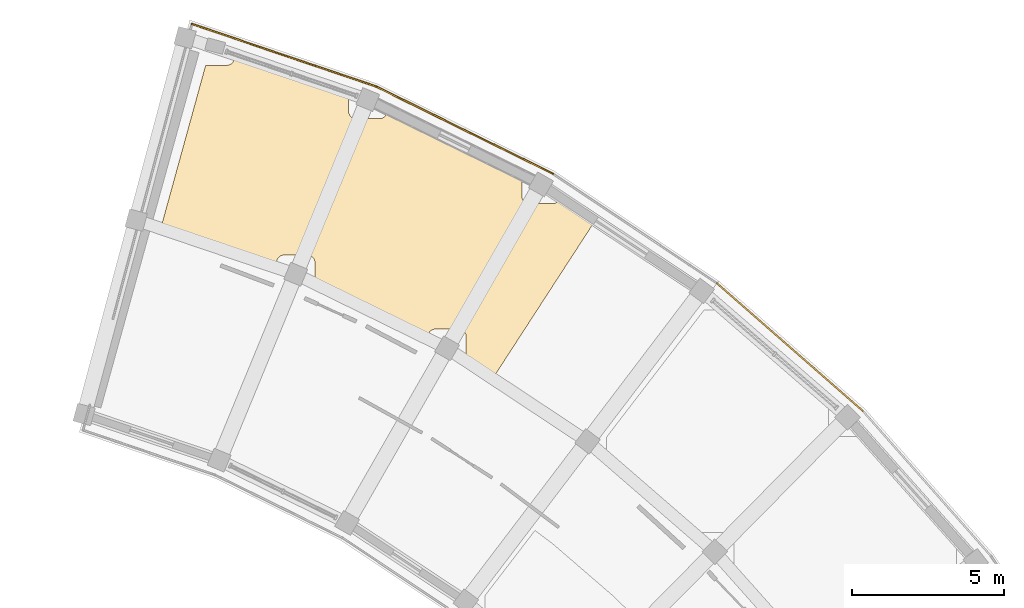
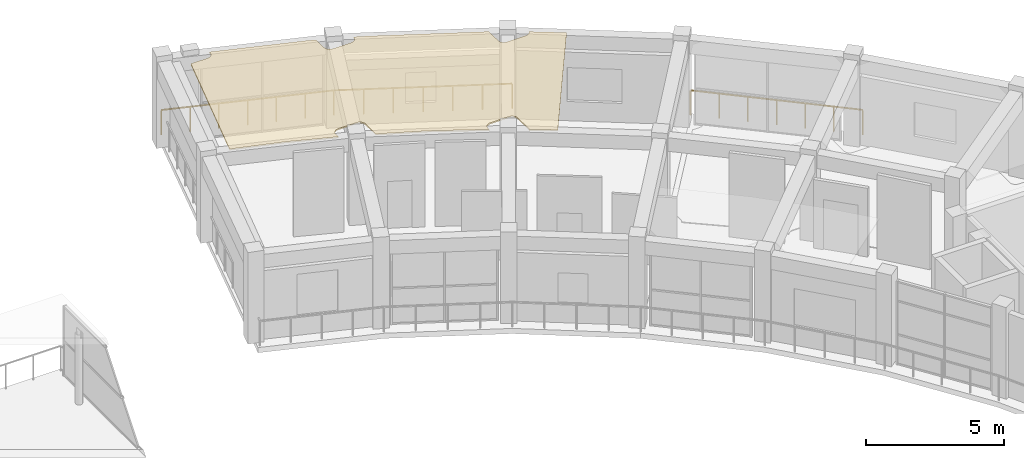
# One storey, part 29 of 29: 3 railings, 1 covering.
"""IFC4 building model written with IfcOpenShell, lengths in metres."""

from ifc_helpers import new_model, si_unit, direction, frame, origin, origin_2d, place, context, subcontext, project, spatial, polyline, rectangle, outline, extrude, material, layer, layer_set, type_object, element, save


model = new_model("IFC4")

# Units and contexts
model_context = context("Model", 3, precision=1e-05, world=origin(), true_north=direction((0.0, 1.0)))
body_context = subcontext(model_context, "Body", "Model", "MODEL_VIEW")
ifc_project = project(units=[si_unit("LENGTHUNIT", "METRE"), si_unit("AREAUNIT", "SQUARE_METRE"), si_unit("VOLUMEUNIT", "CUBIC_METRE"), si_unit("PLANEANGLEUNIT", "RADIAN"), si_unit("MASSUNIT", "GRAM", prefix="KILO")], contexts=[model_context])

# Site, building, storey
site_placement = place(None, origin())
site = spatial("IfcSite", under=ifc_project, at=site_placement, CompositionType="ELEMENT")
building_placement = place(site_placement, origin())
building = spatial("IfcBuilding", under=site, at=building_placement, Name="Saryqyr Civic Hall", CompositionType="ELEMENT")
storey_placement = place(building_placement, frame((0.0, 0.0, 25.35009765625)))
storey = spatial("IfcBuildingStorey", under=building, at=storey_placement, Name="L06", CompositionType="ELEMENT", Elevation=25.35009765625)

# Covering
ifc_material_1 = material(Name="Mineral-fibre acoustic ceiling tile", Category="acoustic_tile")
ifc_layer_1 = layer(ifc_material_1, 0.06005859375, Name="Mineral-fibre acoustic ceiling tile")
ifc_layer_set_1 = layer_set([ifc_layer_1], Name="Mineral-fibre acoustic ceiling tile")
covering_type = type_object("IfcCoveringType", Name="INT-COV-CEIL-60", PredefinedType="CEILING", material=ifc_layer_set_1)
covering_placement = place(storey_placement, frame((0.0, 0.0, 3.75)))
element("IfcCovering", 1, at=covering_placement, inside=storey, type_object=covering_type, Name="Acoustic ceiling Staff Restroom & Accessible MGN WC L06-N", PredefinedType="CEILING", context=body_context, shape_type="SweptSolid", body=[
    extrude(outline(polyline([(78.898681640625, 120.693359375), (78.902099609375, 120.707763671875), (78.90576171875, 120.732177734375), (78.906982421875, 120.756591796875), (78.906982421875, 121.5166015625), (78.90576171875, 121.541015625), (78.902099609375, 121.5654296875), (78.896240234375, 121.589111328125), (78.887939453125, 121.6123046875), (78.87744140625, 121.634521484375), (78.864990234375, 121.655517578125), (78.850341796875, 121.67529296875), (78.833740234375, 121.693359375), (78.815673828125, 121.7099609375), (78.7958984375, 121.724609375), (78.77490234375, 121.737060546875), (78.752685546875, 121.74755859375), (78.7294921875, 121.755859375), (78.705810546875, 121.76171875), (78.681396484375, 121.765380859375), (78.656982421875, 121.7666015625), (77.89697265625, 121.7666015625), (77.87255859375, 121.765380859375), (77.84814453125, 121.76171875), (77.824462890625, 121.755859375), (77.80126953125, 121.74755859375), (77.779296875, 121.737060546875), (77.758056640625, 121.724609375), (77.73828125, 121.7099609375), (77.72021484375, 121.693359375), (77.70361328125, 121.67529296875), (77.689208984375, 121.655517578125), (77.676513671875, 121.634521484375), (77.666015625, 121.6123046875), (77.65771484375, 121.589111328125), (77.65185546875, 121.5654296875), (77.648193359375, 121.541015625), (77.64697265625, 121.5166015625), (77.64697265625, 121.421142578125), (75.720458984375, 122.432861328125), (75.690185546875, 122.447509765625), (73.943359375, 123.232421875), (73.943359375, 123.94921875), (73.942138671875, 123.9736328125), (73.9384765625, 123.997802734375), (73.9326171875, 124.021728515625), (73.92431640625, 124.044921875), (73.913818359375, 124.06689453125), (73.901123046875, 124.087890625), (73.88671875, 124.107666015625), (73.8701171875, 124.1259765625), (73.851806640625, 124.142333984375), (73.832275390625, 124.156982421875), (73.81103515625, 124.169677734375), (73.7890625, 124.18017578125), (73.765869140625, 124.188232421875), (73.7421875, 124.1943359375), (73.7177734375, 124.197998046875), (73.693359375, 124.19921875), (72.933349609375, 124.19921875), (72.90869140625, 124.197998046875), (72.884521484375, 124.1943359375), (72.860595703125, 124.188232421875), (72.837646484375, 124.18017578125), (72.8154296875, 124.169677734375), (72.79443359375, 124.156982421875), (72.774658203125, 124.142333984375), (72.756591796875, 124.1259765625), (72.739990234375, 124.107666015625), (72.725341796875, 124.087890625), (72.712890625, 124.06689453125), (72.702392578125, 124.044921875), (72.694091796875, 124.021728515625), (72.68798828125, 123.997802734375), (72.6845703125, 123.9736328125), (72.683349609375, 123.94921875), (72.683349609375, 123.753173828125), (70.874755859375, 124.435546875), (70.8427734375, 124.446533203125), (68.87841796875, 125.052978515625), (70.35791015625, 130.42431640625), (71.050537109375, 130.42431640625), (71.0751953125, 130.425537109375), (71.099365234375, 130.42919921875), (71.123291015625, 130.435302734375), (71.146240234375, 130.443359375), (71.16845703125, 130.453857421875), (71.189453125, 130.466552734375), (71.209228515625, 130.481201171875), (71.227294921875, 130.49755859375), (71.243896484375, 130.515869140625), (71.258544921875, 130.535400390625), (71.27099609375, 130.556640625), (71.281494140625, 130.57861328125), (71.289794921875, 130.601806640625), (71.2958984375, 130.62548828125), (71.29931640625, 130.64990234375), (71.300537109375, 130.67431640625), (71.300537109375, 130.73388671875), (74.6953125, 129.595703125), (75.04638671875, 129.462890625), (75.04638671875, 128.921142578125), (75.047607421875, 128.896484375), (75.05126953125, 128.872314453125), (75.05712890625, 128.848388671875), (75.0654296875, 128.825439453125), (75.075927734375, 128.80322265625), (75.08837890625, 128.7822265625), (75.10302734375, 128.762451171875), (75.11962890625, 128.744384765625), (75.1376953125, 128.727783203125), (75.157470703125, 128.713134765625), (75.1787109375, 128.70068359375), (75.20068359375, 128.690185546875), (75.223876953125, 128.681884765625), (75.24755859375, 128.67578125), (75.27197265625, 128.67236328125), (75.29638671875, 128.671142578125), (76.056396484375, 128.671142578125), (76.080810546875, 128.67236328125), (76.105224609375, 128.67578125), (76.12890625, 128.681884765625), (76.152099609375, 128.690185546875), (76.17431640625, 128.70068359375), (76.1953125, 128.713134765625), (76.215087890625, 128.727783203125), (76.233154296875, 128.744384765625), (76.249755859375, 128.762451171875), (76.264404296875, 128.7822265625), (76.27685546875, 128.80322265625), (76.287353515625, 128.825439453125), (76.295654296875, 128.848388671875), (76.301513671875, 128.872314453125), (76.30517578125, 128.896484375), (76.306396484375, 128.921142578125), (76.306396484375, 128.94189453125), (76.75341796875, 128.7412109375), (80.682861328125, 126.80322265625), (80.72900390625, 126.779052734375), (80.72900390625, 126.13623046875), (80.730224609375, 126.11181640625), (80.73388671875, 126.08740234375), (80.739990234375, 126.063720703125), (80.748046875, 126.04052734375), (80.758544921875, 126.0185546875), (80.771240234375, 125.997314453125), (80.785888671875, 125.977783203125), (80.80224609375, 125.95947265625), (80.820556640625, 125.943115234375), (80.840087890625, 125.928466796875), (80.861328125, 125.915771484375), (80.88330078125, 125.9052734375), (80.906494140625, 125.897216796875), (80.930419921875, 125.89111328125), (80.95458984375, 125.887451171875), (80.97900390625, 125.88623046875), (81.739013671875, 125.88623046875), (81.763671875, 125.887451171875), (81.787841796875, 125.89111328125), (81.811767578125, 125.897216796875), (81.834716796875, 125.9052734375), (81.85693359375, 125.915771484375), (81.8779296875, 125.928466796875), (81.897705078125, 125.943115234375), (81.916015625, 125.95947265625), (81.932373046875, 125.977783203125), (81.947021484375, 125.997314453125), (81.959716796875, 126.0185546875), (81.97021484375, 126.04052734375), (81.97412109375, 126.0517578125), (82.442138671875, 125.76806640625), (83.127197265625, 125.310302734375), (79.783203125, 120.156982421875), (78.898681640625, 120.693359375)])), origin(), (0.0, 0.0, 1.0), 0.059814453125),
])

# Railings
ifc_material_2 = material(Name="Warm brushed brass and laminated glass", Category="glass")
ifc_layer_2 = layer(ifc_material_2, 0.06005859375, Name="Warm brushed brass and laminated glass")
ifc_layer_set_2 = layer_set([ifc_layer_2], Name="Warm brushed brass and laminated glass")
railing_type = type_object("IfcRailingType", Name="INT-RLG-BAL-1100", PredefinedType="BALUSTRADE", material=ifc_layer_set_2)
railing_1_placement = place(storey_placement, frame((69.906494140625, 131.781005859375, 0.0)))
element("IfcRailing", 2, at=railing_1_placement, inside=storey, type_object=railing_type, Name="Interior deck safety balustrade L06-009", PredefinedType="BALUSTRADE", context=body_context, shape_type="SweptSolid", body=[
    extrude(rectangle(XDim=0.048095703125, YDim=0.048095703125, at=origin_2d()), frame((0.0, 0.0, 1.09619140625), z_axis=(0.946914589927, -0.321485239761, 0.0), x_axis=(0.321485239761, 0.946914589927, 0.0)), (0.0, 0.0, 1.0), 6.37451171875),
    extrude(rectangle(XDim=0.0419921875, YDim=0.0419921875, at=origin_2d()), origin(), (0.0, 0.0, 1.0), 1.072021484375),
    extrude(rectangle(XDim=0.0419921875, YDim=0.0419921875, at=origin_2d()), frame((1.006103515625, -0.341552734375, 0.0)), (0.0, 0.0, 1.0), 1.072021484375),
    extrude(rectangle(XDim=0.0419921875, YDim=0.0419921875, at=origin_2d()), frame((2.011962890625, -0.68310546875, 0.0)), (0.0, 0.0, 1.0), 1.072021484375),
    extrude(rectangle(XDim=0.0419921875, YDim=0.0419921875, at=origin_2d()), frame((3.01806640625, -1.024658203125, 0.0)), (0.0, 0.0, 1.0), 1.072021484375),
    extrude(rectangle(XDim=0.0419921875, YDim=0.0419921875, at=origin_2d()), frame((4.024169921875, -1.3662109375, 0.0)), (0.0, 0.0, 1.0), 1.072021484375),
    extrude(rectangle(XDim=0.0419921875, YDim=0.0419921875, at=origin_2d()), frame((5.030029296875, -1.707763671875, 0.0)), (0.0, 0.0, 1.0), 1.072021484375),
    extrude(rectangle(XDim=0.0419921875, YDim=0.0419921875, at=origin_2d()), frame((6.0361328125, -2.04931640625, 0.0)), (0.0, 0.0, 1.0), 1.072021484375),
])
railing_2_placement = place(storey_placement, frame((75.942626953125, 129.731689453125, 0.0)))
element("IfcRailing", 3, at=railing_2_placement, inside=storey, type_object=railing_type, Name="Interior deck safety balustrade L06-010", PredefinedType="BALUSTRADE", context=body_context, shape_type="SweptSolid", body=[
    extrude(rectangle(XDim=0.048095703125, YDim=0.048095703125, at=origin_2d()), frame((0.0, 0.0, 1.09619140625), z_axis=(0.89689443152, -0.442244704557, 0.0), x_axis=(0.442244704557, 0.89689443152, 0.0)), (0.0, 0.0, 1.0), 6.47509765625),
    extrude(rectangle(XDim=0.0419921875, YDim=0.0419921875, at=origin_2d()), origin(), (0.0, 0.0, 1.0), 1.072021484375),
    extrude(rectangle(XDim=0.0419921875, YDim=0.0419921875, at=origin_2d()), frame((0.9677734375, -0.477294921875, 0.0)), (0.0, 0.0, 1.0), 1.072021484375),
    extrude(rectangle(XDim=0.0419921875, YDim=0.0419921875, at=origin_2d()), frame((1.935791015625, -0.95458984375, 0.0)), (0.0, 0.0, 1.0), 1.072021484375),
    extrude(rectangle(XDim=0.0419921875, YDim=0.0419921875, at=origin_2d()), frame((2.90380859375, -1.431640625, 0.0)), (0.0, 0.0, 1.0), 1.072021484375),
    extrude(rectangle(XDim=0.0419921875, YDim=0.0419921875, at=origin_2d()), frame((3.87158203125, -1.908935546875, 0.0)), (0.0, 0.0, 1.0), 1.072021484375),
    extrude(rectangle(XDim=0.0419921875, YDim=0.0419921875, at=origin_2d()), frame((4.83935546875, -2.38623046875, 0.0)), (0.0, 0.0, 1.0), 1.072021484375),
    extrude(rectangle(XDim=0.0419921875, YDim=0.0419921875, at=origin_2d()), frame((5.807373046875, -2.863525390625, 0.0)), (0.0, 0.0, 1.0), 1.072021484375),
])
railing_3_placement = place(storey_placement, frame((87.133544921875, 123.270751953125, 0.0)))
element("IfcRailing", 4, at=railing_3_placement, inside=storey, type_object=railing_type, Name="Interior deck safety balustrade L06-012", PredefinedType="BALUSTRADE", context=body_context, shape_type="SweptSolid", body=[
    extrude(rectangle(XDim=0.048095703125, YDim=0.048095703125, at=origin_2d()), frame((0.0, 0.0, 1.09619140625), z_axis=(0.752633781672, -0.658439359915, 0.0), x_axis=(0.658439359915, 0.752633781672, 0.0)), (0.0, 0.0, 1.0), 6.35791015625),
    extrude(rectangle(XDim=0.0419921875, YDim=0.0419921875, at=origin_2d()), origin(), (0.0, 0.0, 1.0), 1.072021484375),
    extrude(rectangle(XDim=0.0419921875, YDim=0.0419921875, at=origin_2d()), frame((0.797607421875, -0.69775390625, 0.0)), (0.0, 0.0, 1.0), 1.072021484375),
    extrude(rectangle(XDim=0.0419921875, YDim=0.0419921875, at=origin_2d()), frame((1.594970703125, -1.3955078125, 0.0)), (0.0, 0.0, 1.0), 1.072021484375),
    extrude(rectangle(XDim=0.0419921875, YDim=0.0419921875, at=origin_2d()), frame((2.392578125, -2.09326171875, 0.0)), (0.0, 0.0, 1.0), 1.072021484375),
    extrude(rectangle(XDim=0.0419921875, YDim=0.0419921875, at=origin_2d()), frame((3.190185546875, -2.790771484375, 0.0)), (0.0, 0.0, 1.0), 1.072021484375),
    extrude(rectangle(XDim=0.0419921875, YDim=0.0419921875, at=origin_2d()), frame((3.987548828125, -3.488525390625, 0.0)), (0.0, 0.0, 1.0), 1.072021484375),
    extrude(rectangle(XDim=0.0419921875, YDim=0.0419921875, at=origin_2d()), frame((4.78515625, -4.186279296875, 0.0)), (0.0, 0.0, 1.0), 1.072021484375),
])

save(model, "model.ifc")
